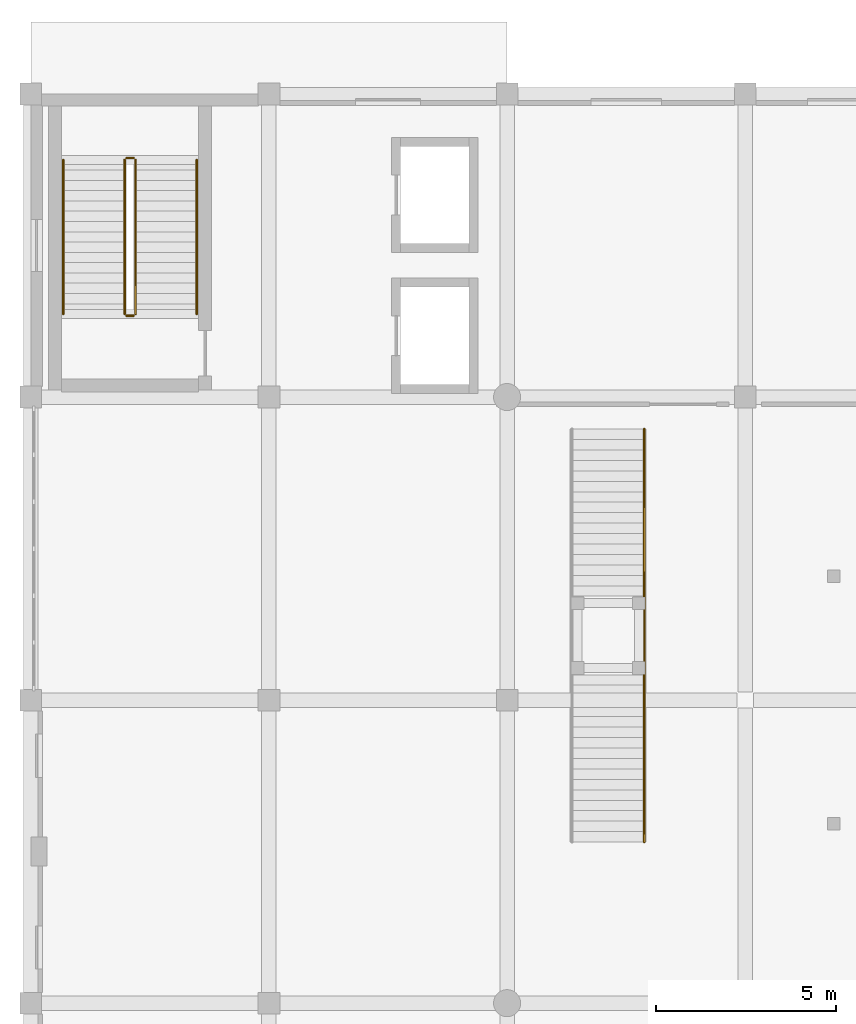
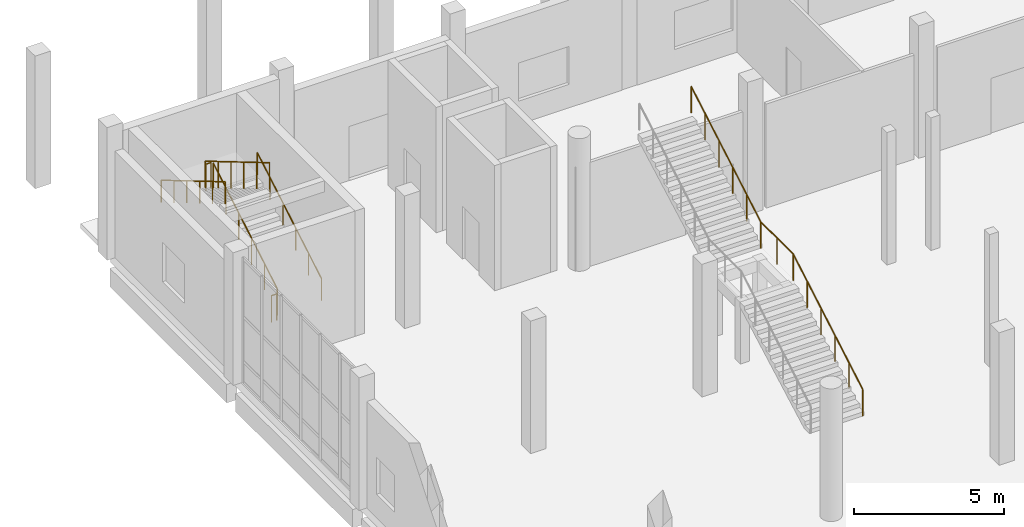
# One storey, part 57 of 64: 7 railings.
"""IFC4 building model written with IfcOpenShell, lengths in metres."""

from ifc_helpers import new_model, si_unit, direction, frame, origin, origin_2d, place, context, subcontext, project, spatial, circle, extrude, material, type_object, element, save


model = new_model("IFC4")

# Units and contexts
model_context = context("Model", 3, precision=1e-05, world=origin(), true_north=direction((0.0, 1.0)))
body_context = subcontext(model_context, "Body", "Model", "MODEL_VIEW")
ifc_project = project(units=[si_unit("LENGTHUNIT", "METRE"), si_unit("AREAUNIT", "SQUARE_METRE"), si_unit("VOLUMEUNIT", "CUBIC_METRE"), si_unit("PLANEANGLEUNIT", "RADIAN"), si_unit("MASSUNIT", "GRAM", prefix="KILO")], contexts=[model_context])

# Site, building, storey
site_placement = place(None, origin())
site = spatial("IfcSite", under=ifc_project, at=site_placement, CompositionType="ELEMENT")
building_placement = place(site_placement, origin())
building = spatial("IfcBuilding", under=site, at=building_placement, Name="Qaldarim Faculty of Natural and Applied Sciences", CompositionType="ELEMENT")
storey_placement = place(building_placement, origin())
storey = spatial("IfcBuildingStorey", under=building, at=storey_placement, Name="L00", CompositionType="ELEMENT", Elevation=0.0)

# Railings
ifc_material = material(Name="Architectural stainless steel 316", Category="steel")
railing_type_1 = type_object("IfcRailingType", Name="GuardBalustrade-1100", PredefinedType="BALUSTRADE", material=ifc_material)
railing_1_placement = place(storey_placement, frame((2.89990234375, 77.89990234375, 0.169921875)))
element("IfcRailing", 1, at=railing_1_placement, inside=storey, type_object=railing_type_1, Name="ST-D2 L00 stair well guard 1", PredefinedType="BALUSTRADE", context=body_context, shape_type="SweptSolid", body=[
    extrude(circle(Radius=0.02392578125, at=origin_2d()), frame((0.0, 0.0, 1.076171875), z_axis=(0.0, 0.860590750118, 0.509297124292), x_axis=(-1.0, 0.0, 0.0)), (0.0, 0.0, 1.0), 4.9677734375),
    extrude(circle(Radius=0.02099609375, at=origin_2d()), origin(), (0.0, 0.0, 1.0), 1.052001953125),
    extrude(circle(Radius=0.02099609375, at=origin_2d()), frame((0.0, 0.85498046875, 0.506103515625)), (0.0, 0.0, 1.0), 1.052001953125),
    extrude(circle(Radius=0.02099609375, at=origin_2d()), frame((0.0, 1.7099609375, 1.011962890625)), (0.0, 0.0, 1.0), 1.052001953125),
    extrude(circle(Radius=0.02099609375, at=origin_2d()), frame((0.0, 2.565185546875, 1.51806640625)), (0.0, 0.0, 1.0), 1.052001953125),
    extrude(circle(Radius=0.02099609375, at=origin_2d()), frame((0.0, 3.420166015625, 2.02392578125)), (0.0, 0.0, 1.0), 1.052001953125),
    extrude(circle(Radius=0.02099609375, at=origin_2d()), frame((0.0, 4.275146484375, 2.530029296875)), (0.0, 0.0, 1.0), 1.052001953125),
])
railing_2_placement = place(storey_placement, frame((2.85009765625, 82.22509765625, 2.699951171875)))
element("IfcRailing", 2, at=railing_2_placement, inside=storey, type_object=railing_type_1, Name="ST-D2 L00 stair well guard 2", PredefinedType="BALUSTRADE", context=body_context, shape_type="SweptSolid", body=[
    extrude(circle(Radius=0.02392578125, at=origin_2d()), frame((0.0, 0.0, 1.076171875), z_axis=(-1.0, 0.0, 0.0), x_axis=(0.0, -1.0, 0.0)), (0.0, 0.0, 1.0), 0.2001953125),
    extrude(circle(Radius=0.02099609375, at=origin_2d()), origin(), (0.0, 0.0, 1.0), 1.052001953125),
    extrude(circle(Radius=0.02099609375, at=origin_2d()), frame((-0.2001953125, 0.0, 0.0)), (0.0, 0.0, 1.0), 1.052001953125),
])
railing_3_placement = place(storey_placement, frame((2.60009765625, 82.175048828125, 2.8701171875)))
element("IfcRailing", 3, at=railing_3_placement, inside=storey, type_object=railing_type_1, Name="ST-D2 L00 stair well guard 3", PredefinedType="BALUSTRADE", context=body_context, shape_type="SweptSolid", body=[
    extrude(circle(Radius=0.02392578125, at=origin_2d()), frame((0.0, 0.0, 1.076171875), z_axis=(0.0, -0.86061229028, 0.509260724795), x_axis=(1.0, 0.0, 0.0)), (0.0, 0.0, 1.0), 4.967529296875),
    extrude(circle(Radius=0.02099609375, at=origin_2d()), origin(), (0.0, 0.0, 1.0), 1.052001953125),
    extrude(circle(Radius=0.02099609375, at=origin_2d()), frame((0.0, -0.85498046875, 0.505859375)), (0.0, 0.0, 1.0), 1.052001953125),
    extrude(circle(Radius=0.02099609375, at=origin_2d()), frame((0.0, -1.7099609375, 1.011962890625)), (0.0, 0.0, 1.0), 1.052001953125),
    extrude(circle(Radius=0.02099609375, at=origin_2d()), frame((0.0, -2.565185546875, 1.517822265625)), (0.0, 0.0, 1.0), 1.052001953125),
    extrude(circle(Radius=0.02099609375, at=origin_2d()), frame((0.0, -3.420166015625, 2.02392578125)), (0.0, 0.0, 1.0), 1.052001953125),
    extrude(circle(Radius=0.02099609375, at=origin_2d()), frame((0.0, -4.275146484375, 2.52978515625)), (0.0, 0.0, 1.0), 1.052001953125),
])
railing_4_placement = place(storey_placement, frame((2.85009765625, 77.85009765625, 0.0)))
element("IfcRailing", 4, at=railing_4_placement, inside=storey, type_object=railing_type_1, Name="ST-D2 L00 stair well guard 4", PredefinedType="BALUSTRADE", context=body_context, shape_type="SweptSolid", body=[
    extrude(circle(Radius=0.02392578125, at=origin_2d()), frame((0.0, 0.0, 1.076171875), z_axis=(-1.0, 0.0, 0.0), x_axis=(0.0, -1.0, 0.0)), (0.0, 0.0, 1.0), 0.2001953125),
    extrude(circle(Radius=0.02099609375, at=origin_2d()), origin(), (0.0, 0.0, 1.0), 1.052001953125),
    extrude(circle(Radius=0.02099609375, at=origin_2d()), frame((-0.2001953125, 0.0, 0.0)), (0.0, 0.0, 1.0), 1.052001953125),
])
railing_5_placement = place(storey_placement, frame((17.0, 63.264892578125, 0.0)))
element("IfcRailing", 5, at=railing_5_placement, inside=storey, type_object=railing_type_1, Name="Atrium monumental stair L00 guard balustrade E", PredefinedType="BALUSTRADE", context=body_context, shape_type="SweptSolid", body=[
    extrude(circle(Radius=0.02392578125, at=origin_2d()), frame((0.0, 0.00341796875, 1.078125), z_axis=(0.0, 0.864329288335, 0.502926317989), x_axis=(-1.0, 0.0, 0.0)), (0.0, 0.0, 1.0), 5.360595703125),
    extrude(circle(Radius=0.02392578125, at=origin_2d()), frame((0.0, 4.64404296875, 3.77587890625), z_axis=(0.0, 1.0, 0.0), x_axis=(-1.0, 0.0, 0.0)), (0.0, 0.0, 1.0), 2.161865234375),
    extrude(circle(Radius=0.02392578125, at=origin_2d()), frame((0.0, 6.8134765625, 3.778076171875), z_axis=(0.0, 0.864329288335, 0.502926317989), x_axis=(-1.0, 0.0, 0.0)), (0.0, 0.0, 1.0), 5.360595703125),
    extrude(circle(Radius=0.02099609375, at=origin_2d()), origin(), (0.0, 0.0, 1.0), 1.052001953125),
    extrude(circle(Radius=0.02099609375, at=origin_2d()), frame((0.0, 0.927978515625, 0.5400390625)), (0.0, 0.0, 1.0), 1.052001953125),
    extrude(circle(Radius=0.02099609375, at=origin_2d()), frame((0.0, 1.85595703125, 1.080078125)), (0.0, 0.0, 1.0), 1.052001953125),
    extrude(circle(Radius=0.02099609375, at=origin_2d()), frame((0.0, 2.7841796875, 1.619873046875)), (0.0, 0.0, 1.0), 1.052001953125),
    extrude(circle(Radius=0.02099609375, at=origin_2d()), frame((0.0, 3.712158203125, 2.159912109375)), (0.0, 0.0, 1.0), 1.052001953125),
    extrude(circle(Radius=0.02099609375, at=origin_2d()), frame((0.0, 4.64013671875, 2.699951171875)), (0.0, 0.0, 1.0), 1.052001953125),
    extrude(circle(Radius=0.02099609375, at=origin_2d()), frame((0.0, 5.72509765625, 2.699951171875)), (0.0, 0.0, 1.0), 1.052001953125),
    extrude(circle(Radius=0.02099609375, at=origin_2d()), frame((0.0, 6.81005859375, 2.699951171875)), (0.0, 0.0, 1.0), 1.052001953125),
    extrude(circle(Radius=0.02099609375, at=origin_2d()), frame((0.0, 7.738037109375, 3.239990234375)), (0.0, 0.0, 1.0), 1.052001953125),
    extrude(circle(Radius=0.02099609375, at=origin_2d()), frame((0.0, 8.666015625, 3.780029296875)), (0.0, 0.0, 1.0), 1.052001953125),
    extrude(circle(Radius=0.02099609375, at=origin_2d()), frame((0.0, 9.59423828125, 4.31982421875)), (0.0, 0.0, 1.0), 1.052001953125),
    extrude(circle(Radius=0.02099609375, at=origin_2d()), frame((0.0, 10.522216796875, 4.85986328125)), (0.0, 0.0, 1.0), 1.052001953125),
    extrude(circle(Radius=0.02099609375, at=origin_2d()), frame((0.0, 11.4501953125, 5.39990234375)), (0.0, 0.0, 1.0), 1.052001953125),
])
railing_type_2 = type_object("IfcRailingType", Name="StairHandrail-920", PredefinedType="HANDRAIL", material=ifc_material)
railing_6_placement = place(storey_placement, frame((4.60009765625, 77.89990234375, 0.169921875)))
element("IfcRailing", 6, at=railing_6_placement, inside=storey, type_object=railing_type_2, Name="ST-D2 L00 stair handrail 1", PredefinedType="HANDRAIL", context=body_context, shape_type="SweptSolid", body=[
    extrude(circle(Radius=0.02392578125, at=origin_2d()), frame((0.0, 0.0, 0.89599609375), z_axis=(0.0, 0.860590750118, 0.509297124292), x_axis=(-1.0, 0.0, 0.0)), (0.0, 0.0, 1.0), 4.9677734375),
    extrude(circle(Radius=0.02099609375, at=origin_2d()), origin(), (0.0, 0.0, 1.0), 0.871826171875),
    extrude(circle(Radius=0.02099609375, at=origin_2d()), frame((0.0, 0.85498046875, 0.506103515625)), (0.0, 0.0, 1.0), 0.871826171875),
    extrude(circle(Radius=0.02099609375, at=origin_2d()), frame((0.0, 1.7099609375, 1.011962890625)), (0.0, 0.0, 1.0), 0.871826171875),
    extrude(circle(Radius=0.02099609375, at=origin_2d()), frame((0.0, 2.565185546875, 1.51806640625)), (0.0, 0.0, 1.0), 0.871826171875),
    extrude(circle(Radius=0.02099609375, at=origin_2d()), frame((0.0, 3.420166015625, 2.02392578125)), (0.0, 0.0, 1.0), 0.871826171875),
    extrude(circle(Radius=0.02099609375, at=origin_2d()), frame((0.0, 4.275146484375, 2.530029296875)), (0.0, 0.0, 1.0), 0.871826171875),
])
railing_7_placement = place(storey_placement, frame((0.89990234375, 82.175048828125, 2.8701171875)))
element("IfcRailing", 7, at=railing_7_placement, inside=storey, type_object=railing_type_2, Name="ST-D2 L00 stair handrail 2", PredefinedType="HANDRAIL", context=body_context, shape_type="SweptSolid", body=[
    extrude(circle(Radius=0.02392578125, at=origin_2d()), frame((0.0, 0.0, 0.89599609375), z_axis=(0.0, -0.86061229028, 0.509260724795), x_axis=(1.0, 0.0, 0.0)), (0.0, 0.0, 1.0), 4.967529296875),
    extrude(circle(Radius=0.02099609375, at=origin_2d()), origin(), (0.0, 0.0, 1.0), 0.871826171875),
    extrude(circle(Radius=0.02099609375, at=origin_2d()), frame((0.0, -0.85498046875, 0.505859375)), (0.0, 0.0, 1.0), 0.871826171875),
    extrude(circle(Radius=0.02099609375, at=origin_2d()), frame((0.0, -1.7099609375, 1.011962890625)), (0.0, 0.0, 1.0), 0.871826171875),
    extrude(circle(Radius=0.02099609375, at=origin_2d()), frame((0.0, -2.565185546875, 1.517822265625)), (0.0, 0.0, 1.0), 0.871826171875),
    extrude(circle(Radius=0.02099609375, at=origin_2d()), frame((0.0, -3.420166015625, 2.02392578125)), (0.0, 0.0, 1.0), 0.871826171875),
    extrude(circle(Radius=0.02099609375, at=origin_2d()), frame((0.0, -4.275146484375, 2.52978515625)), (0.0, 0.0, 1.0), 0.871826171875),
])

save(model, "model.ifc")
